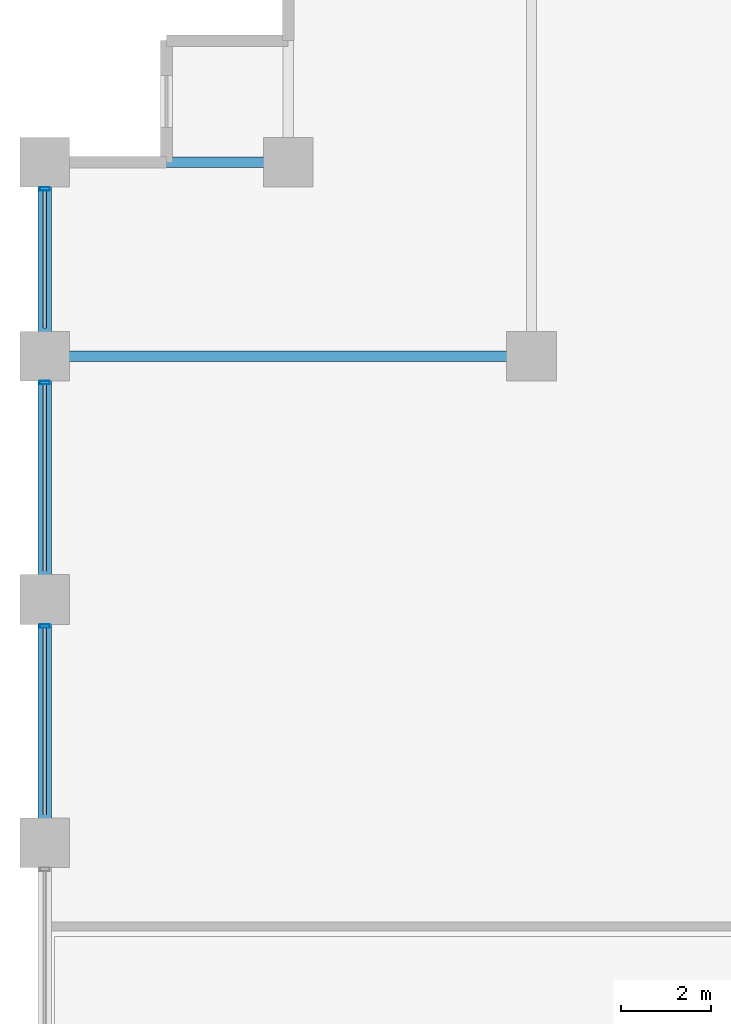
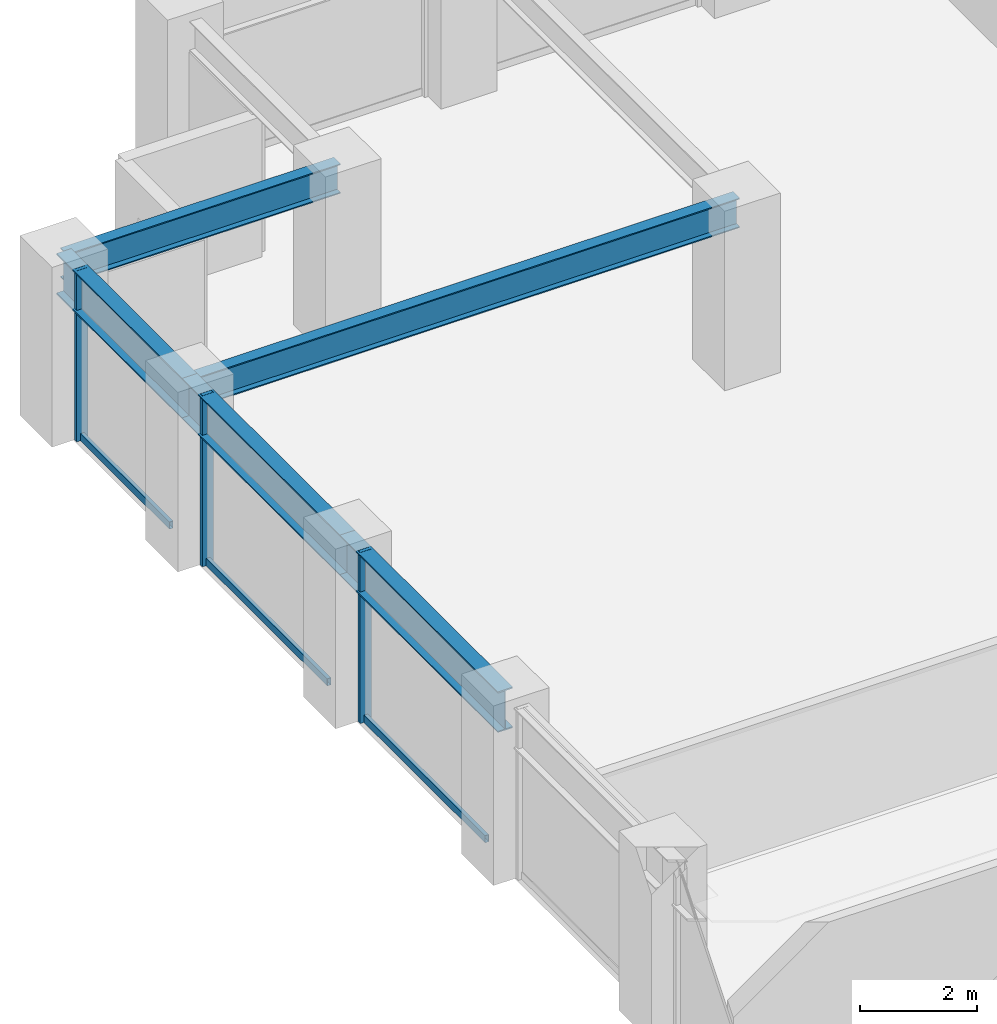
# One storey, part 10 of 25: 6 members, 5 beams, 1 element without a shape of its own.
"""IFC4 building model written with IfcOpenShell, lengths in metres."""

from ifc_helpers import new_model, si_unit, direction, frame, origin, origin_2d, place, context, subcontext, project, spatial, hollow_rectangle, i_section, extrude, material, layer, layer_set, material_profile, profile_set, type_object, element, aggregate, save


model = new_model("IFC4")

# Units and contexts
model_context = context("Model", 3, precision=1e-05, world=origin(), true_north=direction((0.0, 1.0)))
body_context = subcontext(model_context, "Body", "Model", "MODEL_VIEW")
ifc_project = project(units=[si_unit("LENGTHUNIT", "METRE"), si_unit("AREAUNIT", "SQUARE_METRE"), si_unit("VOLUMEUNIT", "CUBIC_METRE"), si_unit("PLANEANGLEUNIT", "RADIAN"), si_unit("MASSUNIT", "GRAM", prefix="KILO")], contexts=[model_context])

# Site, building, storey
site_placement = place(None, origin())
site = spatial("IfcSite", under=ifc_project, at=site_placement, CompositionType="ELEMENT")
building_placement = place(site_placement, origin())
building = spatial("IfcBuilding", under=site, at=building_placement, Name="Surkhivell Harbour Commons", CompositionType="ELEMENT")
storey_placement = place(building_placement, frame((0.0, 0.0, 120.75)))
storey = spatial("IfcBuildingStorey", under=building, at=storey_placement, Name="L31", CompositionType="ELEMENT", Elevation=120.75)

# Beams
ifc_material_1 = material(Name="Steel S355", Category="steel")
ifc_material_profile_1 = material_profile(ifc_material_1, i_section(OverallWidth=0.22998046875, OverallDepth=0.616943359375, WebThickness=0.01318359375, FlangeThickness=0.022216796875, at=origin_2d()), Name="UB610x229x140")
ifc_profile_set_1 = profile_set([ifc_material_profile_1], Name="Steel S355")
beam_type_1 = type_object("IfcBeamType", Name="BM-GRD-610B", PredefinedType="BEAM", material=ifc_profile_set_1)
beam_1_placement = place(storey_placement, frame((-32.39990234375, 16.199951171875, 3.261474609375), z_axis=(1.0, 0.0, 0.0), x_axis=(0.0, 1.0, 0.0)))
element("IfcBeam", 1, at=beam_1_placement, inside=storey, type_object=beam_type_1, Name="L31 Floor Girder (-32.4,16.2)", PredefinedType="BEAM", context=body_context, shape_type="SweptSolid", body=[
    extrude(i_section(OverallWidth=0.22998046875, OverallDepth=0.616943359375, WebThickness=0.01318359375, FlangeThickness=0.022216796875, at=origin_2d()), origin(), (0.0, 0.0, 1.0), 10.7998046875),
])
beam_2_placement = place(storey_placement, frame((-32.39990234375, 20.5, 3.261474609375), z_axis=(1.0, 0.0, 0.0), x_axis=(0.0, 1.0, 0.0)))
element("IfcBeam", 2, at=beam_2_placement, inside=storey, type_object=beam_type_1, Name="L31 Floor Girder (-32.4,20.5)", PredefinedType="BEAM", context=body_context, shape_type="SweptSolid", body=[
    extrude(i_section(OverallWidth=0.22998046875, OverallDepth=0.616943359375, WebThickness=0.01318359375, FlangeThickness=0.022216796875, at=origin_2d()), origin(), (0.0, 0.0, 1.0), 5.39990234375),
])
ifc_material_2 = material(Name="Steel S460", Category="steel")
ifc_material_profile_2 = material_profile(ifc_material_2, i_section(OverallWidth=0.2939453125, OverallDepth=0.85107421875, WebThickness=0.01611328125, FlangeThickness=0.02685546875, at=origin_2d()), Name="UB838x292x226")
ifc_profile_set_2 = profile_set([ifc_material_profile_2], Name="Steel S460")
beam_type_2 = type_object("IfcBeamType", Name="BM-SPN-838", PredefinedType="SPANDREL", material=ifc_profile_set_2)
beam_3_placement = place(storey_placement, frame((-32.39990234375, 5.39990234375, 3.14453125), z_axis=(0.0, 1.0, 0.0), x_axis=(-1.0, 0.0, 0.0)))
element("IfcBeam", 3, at=beam_3_placement, inside=storey, type_object=beam_type_2, Name="L31 Tube Spandrel (-32.4,5.4)", PredefinedType="SPANDREL", context=body_context, shape_type="SweptSolid", body=[
    extrude(i_section(OverallWidth=0.2939453125, OverallDepth=0.85107421875, WebThickness=0.01611328125, FlangeThickness=0.02685546875, at=origin_2d()), origin(), (0.0, 0.0, 1.0), 5.400146484375),
])
beam_4_placement = place(storey_placement, frame((-32.39990234375, 10.800048828125, 3.14453125), z_axis=(0.0, 1.0, 0.0), x_axis=(-1.0, 0.0, 0.0)))
element("IfcBeam", 4, at=beam_4_placement, inside=storey, type_object=beam_type_2, Name="L31 Tube Spandrel (-32.4,10.8)", PredefinedType="SPANDREL", context=body_context, shape_type="SweptSolid", body=[
    extrude(i_section(OverallWidth=0.2939453125, OverallDepth=0.85107421875, WebThickness=0.01611328125, FlangeThickness=0.02685546875, at=origin_2d()), origin(), (0.0, 0.0, 1.0), 5.39990234375),
])
beam_5_placement = place(storey_placement, frame((-32.39990234375, 16.199951171875, 3.14453125), z_axis=(0.0, 1.0, 0.0), x_axis=(-1.0, 0.0, 0.0)))
element("IfcBeam", 5, at=beam_5_placement, inside=storey, type_object=beam_type_2, Name="L31 Tube Spandrel (-32.4,16.2)", PredefinedType="SPANDREL", context=body_context, shape_type="SweptSolid", body=[
    extrude(i_section(OverallWidth=0.2939453125, OverallDepth=0.85107421875, WebThickness=0.01611328125, FlangeThickness=0.02685546875, at=origin_2d()), origin(), (0.0, 0.0, 1.0), 4.300048828125),
])

# Curtain wall, members
ifc_material_3 = material(Name="Anodised pale-metal aluminium and insulated glazing", Category="aluminium")
ifc_layer = layer(ifc_material_3, 0.205078125)
ifc_layer_set = layer_set([ifc_layer], Name="Anodised pale-metal aluminium and insulated glazing")
curtain_wall_type = type_object("IfcCurtainWallType", Name="CW-SYS-Z2", PredefinedType="NOTDEFINED", material=ifc_layer_set)
curtain_wall_placement = place(storey_placement, origin())
curtain_wall = element("IfcCurtainWall", 6, at=curtain_wall_placement, inside=storey, type_object=curtain_wall_type, Name="L31 Curtain Wall CW-L31-E12S1", PredefinedType="NOTDEFINED")
ifc_material_4 = material(Name="Anodised pale-metal aluminium alloy 6063-T6", Category="aluminium")
ifc_material_profile_3 = material_profile(ifc_material_4, hollow_rectangle(XDim=0.074951171875, YDim=0.219970703125, WallThickness=0.00390625, at=origin_2d()), Name="ALU-MULL-75x220")
ifc_profile_set_3 = profile_set([ifc_material_profile_3], Name="Anodised pale-metal aluminium alloy 6063-T6")
member_type_1 = type_object("IfcMemberType", Name="CWM-220", PredefinedType="MULLION", material=ifc_profile_set_3)
member_1_placement = place(storey_placement, frame((-32.39990234375, 19.910400390625, 0.0), z_axis=(0.0, 0.0, 1.0), x_axis=(0.0, -1.0, 0.0)))
member_1 = element("IfcMember", 7, at=member_1_placement, type_object=member_type_1, Name="CW-Z2 mullion 1", PredefinedType="MULLION", context=body_context, shape_type="SweptSolid", body=[
    extrude(hollow_rectangle(XDim=0.074951171875, YDim=0.219970703125, WallThickness=0.00390625, at=origin_2d()), origin(), (0.0, 0.0, 1.0), 3.570068359375),
])
member_2_placement = place(storey_placement, frame((-32.39990234375, 15.610595703125, 0.0), z_axis=(0.0, 0.0, 1.0), x_axis=(0.0, -1.0, 0.0)))
member_2 = element("IfcMember", 8, at=member_2_placement, type_object=member_type_1, Name="CW-Z2 mullion 2", PredefinedType="MULLION", context=body_context, shape_type="SweptSolid", body=[
    extrude(hollow_rectangle(XDim=0.074951171875, YDim=0.219970703125, WallThickness=0.00390625, at=origin_2d()), origin(), (0.0, 0.0, 1.0), 3.570068359375),
])
member_3_placement = place(storey_placement, frame((-32.39990234375, 10.21044921875, 0.0), z_axis=(0.0, 0.0, 1.0), x_axis=(0.0, -1.0, 0.0)))
member_3 = element("IfcMember", 9, at=member_3_placement, type_object=member_type_1, Name="CW-Z2 mullion 3", PredefinedType="MULLION", context=body_context, shape_type="SweptSolid", body=[
    extrude(hollow_rectangle(XDim=0.074951171875, YDim=0.219970703125, WallThickness=0.00390625, at=origin_2d()), origin(), (0.0, 0.0, 1.0), 3.570068359375),
])
ifc_material_profile_4 = material_profile(ifc_material_4, hollow_rectangle(XDim=0.074951171875, YDim=0.14990234375, WallThickness=0.00341796875, at=origin_2d()), Name="ALU-TRAN-75x150")
ifc_profile_set_4 = profile_set([ifc_material_profile_4], Name="Anodised pale-metal aluminium alloy 6063-T6")
member_type_2 = type_object("IfcMemberType", Name="CWT-150", PredefinedType="USERDEFINED", material=ifc_profile_set_4)
member_4_placement = place(storey_placement, frame((-32.39990234375, 19.873046875, 0.074951171875), z_axis=(0.0, -1.0, 0.0), x_axis=(1.0, 0.0, 0.0)))
member_4 = element("IfcMember", 10, at=member_4_placement, type_object=member_type_2, Name="CW-Z2 transom 1.1", ObjectType="TRANSOM", PredefinedType="USERDEFINED", context=body_context, shape_type="SweptSolid", body=[
    extrude(hollow_rectangle(XDim=0.074951171875, YDim=0.14990234375, WallThickness=0.00341796875, at=origin_2d()), origin(), (0.0, 0.0, 1.0), 3.046142578125),
])
member_5_placement = place(storey_placement, frame((-32.39990234375, 15.572998046875, 0.074951171875), z_axis=(0.0, -1.0, 0.0), x_axis=(1.0, 0.0, 0.0)))
member_5 = element("IfcMember", 11, at=member_5_placement, type_object=member_type_2, Name="CW-Z2 transom 2.1", ObjectType="TRANSOM", PredefinedType="USERDEFINED", context=body_context, shape_type="SweptSolid", body=[
    extrude(hollow_rectangle(XDim=0.074951171875, YDim=0.14990234375, WallThickness=0.00341796875, at=origin_2d()), origin(), (0.0, 0.0, 1.0), 4.14599609375),
])
member_6_placement = place(storey_placement, frame((-32.39990234375, 10.173095703125, 0.074951171875), z_axis=(0.0, -1.0, 0.0), x_axis=(1.0, 0.0, 0.0)))
member_6 = element("IfcMember", 12, at=member_6_placement, type_object=member_type_2, Name="CW-Z2 transom 3.1", ObjectType="TRANSOM", PredefinedType="USERDEFINED", context=body_context, shape_type="SweptSolid", body=[
    extrude(hollow_rectangle(XDim=0.074951171875, YDim=0.14990234375, WallThickness=0.00341796875, at=origin_2d()), origin(), (0.0, 0.0, 1.0), 4.14599609375),
])
aggregate(curtain_wall, [member_1, member_4, member_2, member_5, member_3, member_6])

save(model, "model.ifc")
